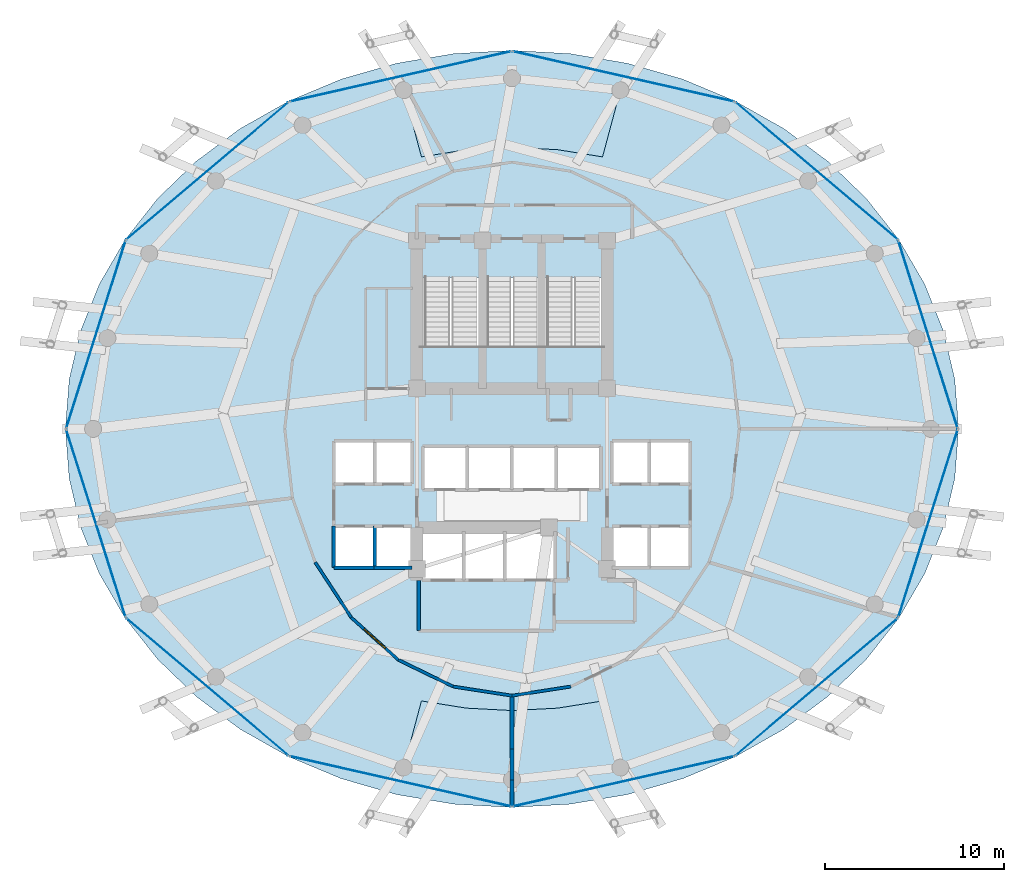
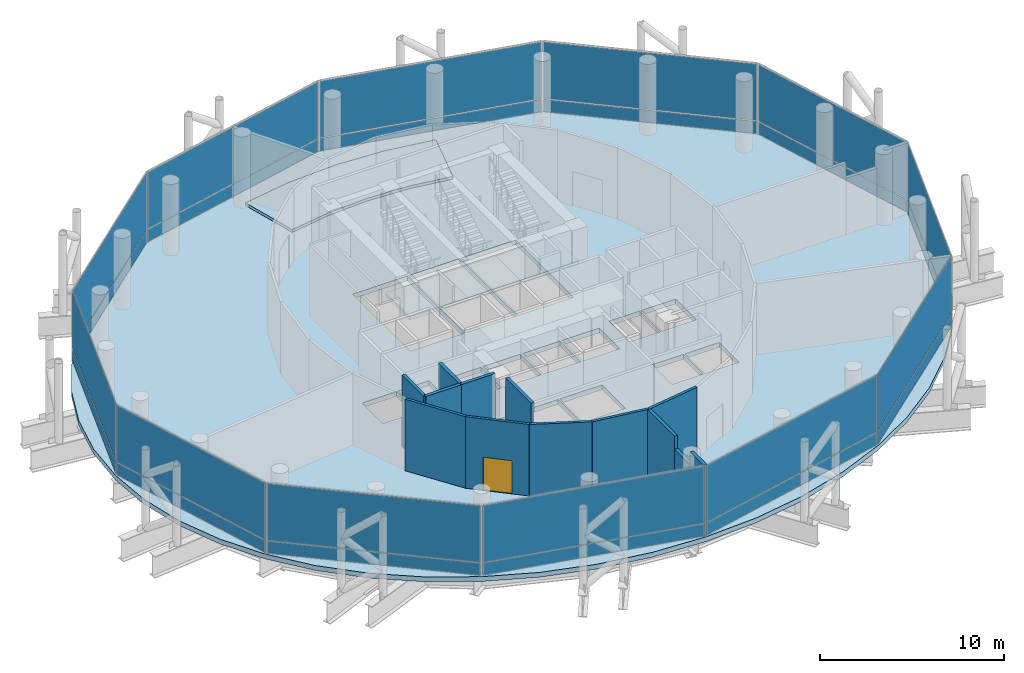
# One storey, part 21 of 29: 24 plates, 13 walls, 6 slabs, 1 door, 1 opening, 15 elements without a shape of their own.
"""IFC4 building model written with IfcOpenShell, lengths in metres."""

from ifc_helpers import new_model, si_unit, direction, frame, frame_2d, origin, origin_2d, place, context, subcontext, project, spatial, polyline, rectangle, outline, extrude, material, layer, layer_set, type_object, element, fill, aggregate, save


model = new_model("IFC4")

# Units and contexts
model_context = context("Model", 3, precision=1e-05, world=origin(), true_north=direction((0.0, 1.0)))
body_context = subcontext(model_context, "Body", "Model", "MODEL_VIEW")
ifc_project = project(units=[si_unit("LENGTHUNIT", "METRE"), si_unit("AREAUNIT", "SQUARE_METRE"), si_unit("VOLUMEUNIT", "CUBIC_METRE"), si_unit("PLANEANGLEUNIT", "RADIAN"), si_unit("MASSUNIT", "GRAM", prefix="KILO")], contexts=[model_context])

# Site, building, storey
site_placement = place(None, origin())
site = spatial("IfcSite", under=ifc_project, at=site_placement, CompositionType="ELEMENT")
building_placement = place(site_placement, origin())
building = spatial("IfcBuilding", under=site, at=building_placement, Name="Nuhasar Tower", CompositionType="ELEMENT")
storey_placement = place(building_placement, frame((0.0, 0.0, 113.25)))
storey = spatial("IfcBuildingStorey", under=building, at=storey_placement, Name="L26", CompositionType="ELEMENT", Elevation=113.25)

# Curtain wall, plate
ifc_material_1 = material(Name="Aluminium 6063-T6", Category="aluminium")
ifc_layer_1 = layer(ifc_material_1, 0.239990234375)
ifc_layer_set_1 = layer_set([ifc_layer_1], Name="Aluminium 6063-T6")
curtain_wall_type = type_object("IfcCurtainWallType", Name="CW-SKY-LBY", PredefinedType="NOTDEFINED", material=ifc_layer_set_1)
curtain_wall_1_placement = place(storey_placement, origin())
curtain_wall_1 = element("IfcCurtainWall", 1, at=curtain_wall_1_placement, inside=storey, type_object=curtain_wall_type, Name="L26 Unitised Curtain Wall 01", PredefinedType="NOTDEFINED")
ifc_material_2 = material(Name="Glass Double Low-E", Category="glass")
ifc_layer_2 = layer(ifc_material_2, 0.028076171875)
ifc_layer_set_2 = layer_set([ifc_layer_2], Name="Glass Double Low-E")
plate_type_1 = type_object("IfcPlateType", Name="CW-PANEL-GLZ", PredefinedType="CURTAIN_PANEL", material=ifc_layer_set_2)
plate_1_placement = place(storey_placement, frame((62.194580078125, 32.06494140625, 0.93017578125), z_axis=(0.0, 0.0, 1.0), x_axis=(-0.301603667577, 0.953433389233, 0.0)))
plate_1 = element("IfcPlate", 2, at=plate_1_placement, type_object=plate_type_1, Name="CW-SL panel 1.2", PredefinedType="CURTAIN_PANEL", context=body_context, shape_type="SweptSolid", body=[
    extrude(rectangle(XDim=10.92431640625, YDim=0.028076171875, at=origin_2d()), origin(), (0.0, 0.0, 1.0), 3.760009765625),
])

curtain_wall_2_placement = place(storey_placement, origin())
curtain_wall_2 = element("IfcCurtainWall", 3, at=curtain_wall_2_placement, inside=storey, type_object=curtain_wall_type, Name="L26 Unitised Curtain Wall 02", PredefinedType="NOTDEFINED")
plate_2_placement = place(storey_placement, frame((55.9794921875, 41.18408203125, 0.93017578125), z_axis=(0.0, 0.0, 1.0), x_axis=(-0.763020370292, 0.646374438324, 0.0)))
plate_2 = element("IfcPlate", 4, at=plate_2_placement, type_object=plate_type_1, Name="CW-SL panel 1.2", PredefinedType="CURTAIN_PANEL", context=body_context, shape_type="SweptSolid", body=[
    extrude(rectangle(XDim=11.804931640625, YDim=0.028076171875, at=origin_2d()), origin(), (0.0, 0.0, 1.0), 3.760009765625),
])

curtain_wall_3_placement = place(storey_placement, origin())
curtain_wall_3 = element("IfcCurtainWall", 5, at=curtain_wall_3_placement, inside=storey, type_object=curtain_wall_type, Name="L26 Unitised Curtain Wall 03", PredefinedType="NOTDEFINED")
plate_3_placement = place(storey_placement, frame((45.215087890625, 46.448974609375, 0.93017578125), z_axis=(0.0, 0.0, 1.0), x_axis=(-0.975183694221, 0.22139729566, 0.0)))
plate_3 = element("IfcPlate", 6, at=plate_3_placement, type_object=plate_type_1, Name="CW-SL panel 1.2", PredefinedType="CURTAIN_PANEL", context=body_context, shape_type="SweptSolid", body=[
    extrude(rectangle(XDim=12.626220703125, YDim=0.028076171875, at=origin_2d()), origin(), (0.0, 0.0, 1.0), 3.760009765625),
])

curtain_wall_4_placement = place(storey_placement, origin())
curtain_wall_4 = element("IfcCurtainWall", 7, at=curtain_wall_4_placement, inside=storey, type_object=curtain_wall_type, Name="L26 Unitised Curtain Wall 04", PredefinedType="NOTDEFINED")
plate_4_placement = place(storey_placement, frame((32.784912109375, 46.448974609375, 0.93017578125), z_axis=(0.0, 0.0, 1.0), x_axis=(-0.975183694221, -0.22139729566, 0.0)))
plate_4 = element("IfcPlate", 8, at=plate_4_placement, type_object=plate_type_1, Name="CW-SL panel 1.2", PredefinedType="CURTAIN_PANEL", context=body_context, shape_type="SweptSolid", body=[
    extrude(rectangle(XDim=12.626220703125, YDim=0.028076171875, at=origin_2d()), origin(), (0.0, 0.0, 1.0), 3.760009765625),
])

curtain_wall_5_placement = place(storey_placement, origin())
curtain_wall_5 = element("IfcCurtainWall", 9, at=curtain_wall_5_placement, inside=storey, type_object=curtain_wall_type, Name="L26 Unitised Curtain Wall 05", PredefinedType="NOTDEFINED")
plate_5_placement = place(storey_placement, frame((22.0205078125, 41.18408203125, 0.93017578125), z_axis=(0.0, 0.0, 1.0), x_axis=(-0.763020370292, -0.646374438324, 0.0)))
plate_5 = element("IfcPlate", 10, at=plate_5_placement, type_object=plate_type_1, Name="CW-SL panel 1.2", PredefinedType="CURTAIN_PANEL", context=body_context, shape_type="SweptSolid", body=[
    extrude(rectangle(XDim=11.804931640625, YDim=0.028076171875, at=origin_2d()), origin(), (0.0, 0.0, 1.0), 3.760009765625),
])

curtain_wall_6_placement = place(storey_placement, origin())
curtain_wall_6 = element("IfcCurtainWall", 11, at=curtain_wall_6_placement, inside=storey, type_object=curtain_wall_type, Name="L26 Unitised Curtain Wall 06", PredefinedType="NOTDEFINED")
plate_6_placement = place(storey_placement, frame((15.805419921875, 32.06494140625, 0.93017578125), z_axis=(0.0, 0.0, 1.0), x_axis=(-0.301603667577, -0.953433389233, 0.0)))
plate_6 = element("IfcPlate", 12, at=plate_6_placement, type_object=plate_type_1, Name="CW-SL panel 1.2", PredefinedType="CURTAIN_PANEL", context=body_context, shape_type="SweptSolid", body=[
    extrude(rectangle(XDim=10.92431640625, YDim=0.028076171875, at=origin_2d()), origin(), (0.0, 0.0, 1.0), 3.760009765625),
])

curtain_wall_7_placement = place(storey_placement, origin())
curtain_wall_7 = element("IfcCurtainWall", 13, at=curtain_wall_7_placement, inside=storey, type_object=curtain_wall_type, Name="L26 Unitised Curtain Wall 07", PredefinedType="NOTDEFINED")
plate_7_placement = place(storey_placement, frame((15.805419921875, 21.534912109375, 0.93017578125), z_axis=(0.0, 0.0, 1.0), x_axis=(0.301603667577, -0.953433389233, 0.0)))
plate_7 = element("IfcPlate", 14, at=plate_7_placement, type_object=plate_type_1, Name="CW-SL panel 1.2", PredefinedType="CURTAIN_PANEL", context=body_context, shape_type="SweptSolid", body=[
    extrude(rectangle(XDim=10.92431640625, YDim=0.028076171875, at=origin_2d()), origin(), (0.0, 0.0, 1.0), 3.760009765625),
])

curtain_wall_8_placement = place(storey_placement, origin())
curtain_wall_8 = element("IfcCurtainWall", 15, at=curtain_wall_8_placement, inside=storey, type_object=curtain_wall_type, Name="L26 Unitised Curtain Wall 08", PredefinedType="NOTDEFINED")
plate_8_placement = place(storey_placement, frame((22.0205078125, 12.416015625, 0.93017578125), z_axis=(0.0, 0.0, 1.0), x_axis=(0.763020370292, -0.646374438324, 0.0)))
plate_8 = element("IfcPlate", 16, at=plate_8_placement, type_object=plate_type_1, Name="CW-SL panel 1.2", PredefinedType="CURTAIN_PANEL", context=body_context, shape_type="SweptSolid", body=[
    extrude(rectangle(XDim=11.804931640625, YDim=0.028076171875, at=origin_2d()), origin(), (0.0, 0.0, 1.0), 3.760009765625),
])

curtain_wall_9_placement = place(storey_placement, origin())
curtain_wall_9 = element("IfcCurtainWall", 17, at=curtain_wall_9_placement, inside=storey, type_object=curtain_wall_type, Name="L26 Unitised Curtain Wall 09", PredefinedType="NOTDEFINED")
plate_9_placement = place(storey_placement, frame((32.784912109375, 7.15087890625, 0.93017578125), z_axis=(0.0, 0.0, 1.0), x_axis=(0.975183694221, -0.22139729566, 0.0)))
plate_9 = element("IfcPlate", 18, at=plate_9_placement, type_object=plate_type_1, Name="CW-SL panel 1.2", PredefinedType="CURTAIN_PANEL", context=body_context, shape_type="SweptSolid", body=[
    extrude(rectangle(XDim=12.626220703125, YDim=0.028076171875, at=origin_2d()), origin(), (0.0, 0.0, 1.0), 3.760009765625),
])

curtain_wall_10_placement = place(storey_placement, origin())
curtain_wall_10 = element("IfcCurtainWall", 19, at=curtain_wall_10_placement, inside=storey, type_object=curtain_wall_type, Name="L26 Unitised Curtain Wall 10", PredefinedType="NOTDEFINED")
plate_10_placement = place(storey_placement, frame((45.215087890625, 7.15087890625, 0.93017578125), z_axis=(0.0, 0.0, 1.0), x_axis=(0.975183694221, 0.22139729566, 0.0)))
plate_10 = element("IfcPlate", 20, at=plate_10_placement, type_object=plate_type_1, Name="CW-SL panel 1.2", PredefinedType="CURTAIN_PANEL", context=body_context, shape_type="SweptSolid", body=[
    extrude(rectangle(XDim=12.626220703125, YDim=0.028076171875, at=origin_2d()), origin(), (0.0, 0.0, 1.0), 3.760009765625),
])

curtain_wall_11_placement = place(storey_placement, origin())
curtain_wall_11 = element("IfcCurtainWall", 21, at=curtain_wall_11_placement, inside=storey, type_object=curtain_wall_type, Name="L26 Unitised Curtain Wall 11", PredefinedType="NOTDEFINED")
plate_11_placement = place(storey_placement, frame((55.9794921875, 12.416015625, 0.93017578125), z_axis=(0.0, 0.0, 1.0), x_axis=(0.763020370292, 0.646374438324, 0.0)))
plate_11 = element("IfcPlate", 22, at=plate_11_placement, type_object=plate_type_1, Name="CW-SL panel 1.2", PredefinedType="CURTAIN_PANEL", context=body_context, shape_type="SweptSolid", body=[
    extrude(rectangle(XDim=11.804931640625, YDim=0.028076171875, at=origin_2d()), origin(), (0.0, 0.0, 1.0), 3.760009765625),
])

curtain_wall_12_placement = place(storey_placement, origin())
curtain_wall_12 = element("IfcCurtainWall", 23, at=curtain_wall_12_placement, inside=storey, type_object=curtain_wall_type, Name="L26 Unitised Curtain Wall 12", PredefinedType="NOTDEFINED")
plate_12_placement = place(storey_placement, frame((62.194580078125, 21.534912109375, 0.93017578125), z_axis=(0.0, 0.0, 1.0), x_axis=(0.301603667577, 0.953433389233, 0.0)))
plate_12 = element("IfcPlate", 24, at=plate_12_placement, type_object=plate_type_1, Name="CW-SL panel 1.2", PredefinedType="CURTAIN_PANEL", context=body_context, shape_type="SweptSolid", body=[
    extrude(rectangle(XDim=10.92431640625, YDim=0.028076171875, at=origin_2d()), origin(), (0.0, 0.0, 1.0), 3.760009765625),
])

# Plate
ifc_material_3 = material(Name="Glass Spandrel", Category="glass")
ifc_layer_3 = layer(ifc_material_3, 0.035888671875)
ifc_layer_set_3 = layer_set([ifc_layer_3], Name="Glass Spandrel")
plate_type_2 = type_object("IfcPlateType", Name="CW-PANEL-SPN", PredefinedType="CURTAIN_PANEL", material=ifc_layer_set_3)
plate_13_placement = place(storey_placement, frame((62.194580078125, 32.06494140625, 0.06005859375), z_axis=(0.0, 0.0, 1.0), x_axis=(-0.301603667577, 0.953433389233, 0.0)))
plate_13 = element("IfcPlate", 25, at=plate_13_placement, type_object=plate_type_2, Name="CW-SL panel 1.1", PredefinedType="CURTAIN_PANEL", context=body_context, shape_type="SweptSolid", body=[
    extrude(rectangle(XDim=10.92431640625, YDim=0.035888671875, at=origin_2d()), origin(), (0.0, 0.0, 1.0), 0.81005859375),
])

aggregate(curtain_wall_1, [plate_13, plate_1])

plate_14_placement = place(storey_placement, frame((55.9794921875, 41.18408203125, 0.06005859375), z_axis=(0.0, 0.0, 1.0), x_axis=(-0.763020370292, 0.646374438324, 0.0)))
plate_14 = element("IfcPlate", 26, at=plate_14_placement, type_object=plate_type_2, Name="CW-SL panel 1.1", PredefinedType="CURTAIN_PANEL", context=body_context, shape_type="SweptSolid", body=[
    extrude(rectangle(XDim=11.804931640625, YDim=0.035888671875, at=origin_2d()), origin(), (0.0, 0.0, 1.0), 0.81005859375),
])

aggregate(curtain_wall_2, [plate_14, plate_2])

plate_15_placement = place(storey_placement, frame((45.215087890625, 46.448974609375, 0.06005859375), z_axis=(0.0, 0.0, 1.0), x_axis=(-0.975183694221, 0.22139729566, 0.0)))
plate_15 = element("IfcPlate", 27, at=plate_15_placement, type_object=plate_type_2, Name="CW-SL panel 1.1", PredefinedType="CURTAIN_PANEL", context=body_context, shape_type="SweptSolid", body=[
    extrude(rectangle(XDim=12.626220703125, YDim=0.035888671875, at=origin_2d()), origin(), (0.0, 0.0, 1.0), 0.81005859375),
])

aggregate(curtain_wall_3, [plate_15, plate_3])

plate_16_placement = place(storey_placement, frame((32.784912109375, 46.448974609375, 0.06005859375), z_axis=(0.0, 0.0, 1.0), x_axis=(-0.975183694221, -0.22139729566, 0.0)))
plate_16 = element("IfcPlate", 28, at=plate_16_placement, type_object=plate_type_2, Name="CW-SL panel 1.1", PredefinedType="CURTAIN_PANEL", context=body_context, shape_type="SweptSolid", body=[
    extrude(rectangle(XDim=12.626220703125, YDim=0.035888671875, at=origin_2d()), origin(), (0.0, 0.0, 1.0), 0.81005859375),
])

aggregate(curtain_wall_4, [plate_16, plate_4])

plate_17_placement = place(storey_placement, frame((22.0205078125, 41.18408203125, 0.06005859375), z_axis=(0.0, 0.0, 1.0), x_axis=(-0.763020370292, -0.646374438324, 0.0)))
plate_17 = element("IfcPlate", 29, at=plate_17_placement, type_object=plate_type_2, Name="CW-SL panel 1.1", PredefinedType="CURTAIN_PANEL", context=body_context, shape_type="SweptSolid", body=[
    extrude(rectangle(XDim=11.804931640625, YDim=0.035888671875, at=origin_2d()), origin(), (0.0, 0.0, 1.0), 0.81005859375),
])

aggregate(curtain_wall_5, [plate_17, plate_5])

plate_18_placement = place(storey_placement, frame((15.805419921875, 32.06494140625, 0.06005859375), z_axis=(0.0, 0.0, 1.0), x_axis=(-0.301603667577, -0.953433389233, 0.0)))
plate_18 = element("IfcPlate", 30, at=plate_18_placement, type_object=plate_type_2, Name="CW-SL panel 1.1", PredefinedType="CURTAIN_PANEL", context=body_context, shape_type="SweptSolid", body=[
    extrude(rectangle(XDim=10.92431640625, YDim=0.035888671875, at=origin_2d()), origin(), (0.0, 0.0, 1.0), 0.81005859375),
])

aggregate(curtain_wall_6, [plate_18, plate_6])

plate_19_placement = place(storey_placement, frame((15.805419921875, 21.534912109375, 0.06005859375), z_axis=(0.0, 0.0, 1.0), x_axis=(0.301603667577, -0.953433389233, 0.0)))
plate_19 = element("IfcPlate", 31, at=plate_19_placement, type_object=plate_type_2, Name="CW-SL panel 1.1", PredefinedType="CURTAIN_PANEL", context=body_context, shape_type="SweptSolid", body=[
    extrude(rectangle(XDim=10.92431640625, YDim=0.035888671875, at=origin_2d()), origin(), (0.0, 0.0, 1.0), 0.81005859375),
])

aggregate(curtain_wall_7, [plate_19, plate_7])

plate_20_placement = place(storey_placement, frame((22.0205078125, 12.416015625, 0.06005859375), z_axis=(0.0, 0.0, 1.0), x_axis=(0.763020370292, -0.646374438324, 0.0)))
plate_20 = element("IfcPlate", 32, at=plate_20_placement, type_object=plate_type_2, Name="CW-SL panel 1.1", PredefinedType="CURTAIN_PANEL", context=body_context, shape_type="SweptSolid", body=[
    extrude(rectangle(XDim=11.804931640625, YDim=0.035888671875, at=origin_2d()), origin(), (0.0, 0.0, 1.0), 0.81005859375),
])

aggregate(curtain_wall_8, [plate_20, plate_8])

plate_21_placement = place(storey_placement, frame((32.784912109375, 7.15087890625, 0.06005859375), z_axis=(0.0, 0.0, 1.0), x_axis=(0.975183694221, -0.22139729566, 0.0)))
plate_21 = element("IfcPlate", 33, at=plate_21_placement, type_object=plate_type_2, Name="CW-SL panel 1.1", PredefinedType="CURTAIN_PANEL", context=body_context, shape_type="SweptSolid", body=[
    extrude(rectangle(XDim=12.626220703125, YDim=0.035888671875, at=origin_2d()), origin(), (0.0, 0.0, 1.0), 0.81005859375),
])

aggregate(curtain_wall_9, [plate_21, plate_9])

plate_22_placement = place(storey_placement, frame((45.215087890625, 7.15087890625, 0.06005859375), z_axis=(0.0, 0.0, 1.0), x_axis=(0.975183694221, 0.22139729566, 0.0)))
plate_22 = element("IfcPlate", 34, at=plate_22_placement, type_object=plate_type_2, Name="CW-SL panel 1.1", PredefinedType="CURTAIN_PANEL", context=body_context, shape_type="SweptSolid", body=[
    extrude(rectangle(XDim=12.626220703125, YDim=0.035888671875, at=origin_2d()), origin(), (0.0, 0.0, 1.0), 0.81005859375),
])

aggregate(curtain_wall_10, [plate_22, plate_10])

plate_23_placement = place(storey_placement, frame((55.9794921875, 12.416015625, 0.06005859375), z_axis=(0.0, 0.0, 1.0), x_axis=(0.763020370292, 0.646374438324, 0.0)))
plate_23 = element("IfcPlate", 35, at=plate_23_placement, type_object=plate_type_2, Name="CW-SL panel 1.1", PredefinedType="CURTAIN_PANEL", context=body_context, shape_type="SweptSolid", body=[
    extrude(rectangle(XDim=11.804931640625, YDim=0.035888671875, at=origin_2d()), origin(), (0.0, 0.0, 1.0), 0.81005859375),
])

aggregate(curtain_wall_11, [plate_23, plate_11])

plate_24_placement = place(storey_placement, frame((62.194580078125, 21.534912109375, 0.06005859375), z_axis=(0.0, 0.0, 1.0), x_axis=(0.301603667577, 0.953433389233, 0.0)))
plate_24 = element("IfcPlate", 36, at=plate_24_placement, type_object=plate_type_2, Name="CW-SL panel 1.1", PredefinedType="CURTAIN_PANEL", context=body_context, shape_type="SweptSolid", body=[
    extrude(rectangle(XDim=10.92431640625, YDim=0.035888671875, at=origin_2d()), origin(), (0.0, 0.0, 1.0), 0.81005859375),
])

aggregate(curtain_wall_12, [plate_24, plate_12])

# Slabs
ifc_material_4 = material(Name="Concrete C50/60", Category="concrete")
ifc_layer_4 = layer(ifc_material_4, 0.199951171875)
ifc_layer_set_4 = layer_set([ifc_layer_4], Name="Concrete C50/60")
slab_type_1 = type_object("IfcSlabType", Name="SLB-PLN-200", PredefinedType="BASESLAB", material=ifc_layer_set_4)
slab_1_placement = place(storey_placement, origin())
element("IfcSlab", 37, at=slab_1_placement, inside=storey, type_object=slab_type_1, Name="L26 Viewing Feature Dais Slab North", PredefinedType="BASESLAB", context=body_context, shape_type="SweptSolid", body=[
    extrude(outline(polyline([(44.97900390625, 45.44189453125), (42.014892578125, 45.93505859375), (39.0, 46.10009765625), (35.985107421875, 45.93505859375), (33.02099609375, 45.44189453125), (33.952880859375, 41.965087890625), (36.455078125, 42.365966796875), (39.0, 42.5), (41.544921875, 42.365966796875), (44.047119140625, 41.965087890625), (44.97900390625, 45.44189453125)])), origin(), (0.0, 0.0, 1.0), 0.179931640625),
])
slab_2_placement = place(storey_placement, origin())
element("IfcSlab", 38, at=slab_2_placement, inside=storey, type_object=slab_type_1, Name="L26 Viewing Feature Dais Slab South", PredefinedType="BASESLAB", context=body_context, shape_type="SweptSolid", body=[
    extrude(outline(polyline([(33.02099609375, 8.157958984375), (35.985107421875, 7.6650390625), (39.0, 7.5), (42.014892578125, 7.6650390625), (44.97900390625, 8.157958984375), (44.047119140625, 11.635009765625), (41.544921875, 11.23388671875), (39.0, 11.10009765625), (36.455078125, 11.23388671875), (33.952880859375, 11.635009765625), (33.02099609375, 8.157958984375)])), origin(), (0.0, 0.0, 1.0), 0.179931640625),
])
ifc_layer_5 = layer(ifc_material_4, 0.320068359375)
ifc_layer_set_5 = layer_set([ifc_layer_5], Name="Concrete C50/60")
slab_type_2 = type_object("IfcSlabType", Name="SLB-POD-320", PredefinedType="FLOOR", material=ifc_layer_set_5)
slab_3_placement = place(storey_placement, frame((0.0, 0.0, -0.320068359375)))
element("IfcSlab", 39, at=slab_3_placement, inside=storey, type_object=slab_type_2, Name="L26 Structural Slab", PredefinedType="FLOOR", context=body_context, shape_type="SweptSolid", body=[
    extrude(outline(polyline([(63.89990234375, 26.800048828125), (63.68701171875, 29.553955078125), (63.052001953125, 32.260986328125), (62.0048828125, 34.875), (60.56396484375, 37.35009765625), (58.75390625, 39.64501953125), (56.60693359375, 41.719970703125), (54.157958984375, 43.5400390625), (51.449951171875, 45.072998046875), (48.529052734375, 46.2939453125), (45.445068359375, 47.180908203125), (42.25, 47.718994140625), (39.0, 47.89990234375), (35.75, 47.718994140625), (32.554931640625, 47.180908203125), (29.470947265625, 46.2939453125), (26.550048828125, 45.072998046875), (23.842041015625, 43.5400390625), (21.39306640625, 41.719970703125), (19.24609375, 39.64501953125), (17.43603515625, 37.35009765625), (15.9951171875, 34.875), (14.947998046875, 32.260986328125), (14.31298828125, 29.553955078125), (14.10009765625, 26.800048828125), (14.31298828125, 24.0458984375), (14.947998046875, 21.339111328125), (15.9951171875, 18.72509765625), (17.43603515625, 16.25), (19.24609375, 13.955078125), (21.39306640625, 11.8798828125), (23.842041015625, 10.06005859375), (26.550048828125, 8.527099609375), (29.470947265625, 7.305908203125), (32.554931640625, 6.4189453125), (35.75, 5.881103515625), (39.0, 5.699951171875), (42.25, 5.881103515625), (45.445068359375, 6.4189453125), (48.529052734375, 7.305908203125), (51.449951171875, 8.527099609375), (54.157958984375, 10.06005859375), (56.60693359375, 11.8798828125), (58.75390625, 13.955078125), (60.56396484375, 16.25), (62.0048828125, 18.72509765625), (63.052001953125, 21.339111328125), (63.68701171875, 24.0458984375), (63.89990234375, 26.800048828125)]), holes=[polyline([(33.8798828125, 35.25), (37.300048828125, 35.25), (37.300048828125, 29.0), (33.8798828125, 29.0), (33.8798828125, 35.25)]), polyline([(37.39990234375, 35.25), (40.60009765625, 35.25), (40.60009765625, 29.0), (37.39990234375, 29.0), (37.39990234375, 35.25)]), polyline([(40.699951171875, 35.25), (44.1201171875, 35.25), (44.1201171875, 29.0), (40.699951171875, 29.0), (40.699951171875, 35.25)]), polyline([(29.14990234375, 26.050048828125), (31.300048828125, 26.050048828125), (31.300048828125, 23.800048828125), (29.14990234375, 23.800048828125), (29.14990234375, 26.050048828125)]), polyline([(31.39990234375, 26.050048828125), (33.35009765625, 26.050048828125), (33.35009765625, 23.800048828125), (31.39990234375, 23.800048828125), (31.39990234375, 26.050048828125)]), polyline([(29.14990234375, 21.300048828125), (31.300048828125, 21.300048828125), (31.300048828125, 19.14990234375), (29.14990234375, 19.14990234375), (29.14990234375, 21.300048828125)]), polyline([(31.39990234375, 21.300048828125), (33.35009765625, 21.300048828125), (33.35009765625, 19.14990234375), (31.39990234375, 19.14990234375), (31.39990234375, 21.300048828125)]), polyline([(44.64990234375, 26.050048828125), (46.60009765625, 26.050048828125), (46.60009765625, 23.800048828125), (44.64990234375, 23.800048828125), (44.64990234375, 26.050048828125)]), polyline([(46.699951171875, 26.050048828125), (48.85009765625, 26.050048828125), (48.85009765625, 23.800048828125), (46.699951171875, 23.800048828125), (46.699951171875, 26.050048828125)]), polyline([(44.64990234375, 21.300048828125), (46.60009765625, 21.300048828125), (46.60009765625, 19.14990234375), (44.64990234375, 19.14990234375), (44.64990234375, 21.300048828125)]), polyline([(46.699951171875, 21.300048828125), (48.85009765625, 21.300048828125), (48.85009765625, 19.14990234375), (46.699951171875, 19.14990234375), (46.699951171875, 21.300048828125)]), polyline([(34.10009765625, 25.75), (36.43994140625, 25.75), (36.43994140625, 23.5), (34.10009765625, 23.5), (34.10009765625, 25.75)]), polyline([(36.580078125, 25.75), (38.919921875, 25.75), (38.919921875, 23.5), (36.580078125, 23.5), (36.580078125, 25.75)]), polyline([(39.06005859375, 25.75), (41.39990234375, 25.75), (41.39990234375, 23.5), (39.06005859375, 23.5), (39.06005859375, 25.75)]), polyline([(41.5400390625, 25.75), (43.8798828125, 25.75), (43.8798828125, 23.5), (41.5400390625, 23.5), (41.5400390625, 25.75)]), polyline([(34.050048828125, 21.0), (36.25, 21.0), (36.25, 18.449951171875), (34.050048828125, 18.449951171875), (34.050048828125, 21.0)]), polyline([(36.35009765625, 21.0), (38.550048828125, 21.0), (38.550048828125, 18.449951171875), (36.35009765625, 18.449951171875), (36.35009765625, 21.0)]), polyline([(38.64990234375, 21.0), (41.320068359375, 21.0), (41.320068359375, 18.449951171875), (38.64990234375, 18.449951171875), (38.64990234375, 21.0)])]), origin(), (0.0, 0.0, 1.0), 0.320068359375),
])

# Stair, slab
ifc_material_5 = material(Name="Concrete C45/55", Category="concrete")
stair_type_1 = type_object("IfcStairType", Name="STR-ST-01-2F-30R-1667", PredefinedType="HALF_TURN_STAIR", material=ifc_material_5)
stair_1_placement = place(storey_placement, origin())
stair_1 = element("IfcStair", 40, at=stair_1_placement, inside=storey, type_object=stair_type_1, Name="L26 Exit Stair ST-01", PredefinedType="HALF_TURN_STAIR")
ifc_layer_6 = layer(ifc_material_5, 0.239990234375)
ifc_layer_set_6 = layer_set([ifc_layer_6], Name="Concrete C45/55")
slab_type_3 = type_object("IfcSlabType", Name="SLB-STAIR-LND-240", PredefinedType="LANDING", material=ifc_layer_set_6)
slab_4_placement = place(storey_placement, frame((0.0, 0.0, 2.260009765625)))
slab_4 = element("IfcSlab", 41, at=slab_4_placement, type_object=slab_type_3, Name="ST-01 landing 1", PredefinedType="LANDING", context=body_context, shape_type="SweptSolid", body=[
    extrude(outline(polyline([(33.699951171875, 28.75), (37.35009765625, 28.75), (37.35009765625, 31.39990234375), (33.699951171875, 31.39990234375), (33.699951171875, 28.75)])), origin(), (0.0, 0.0, 1.0), 0.239990234375),
])
aggregate(stair_1, [slab_4])

stair_type_2 = type_object("IfcStairType", Name="STR-ST-03-2F-30R-1667", PredefinedType="HALF_TURN_STAIR", material=ifc_material_5)
stair_2_placement = place(storey_placement, origin())
stair_2 = element("IfcStair", 42, at=stair_2_placement, inside=storey, type_object=stair_type_2, Name="L26 Exit Stair ST-03", PredefinedType="HALF_TURN_STAIR")
slab_5_placement = place(storey_placement, frame((0.0, 0.0, 2.260009765625)))
slab_5 = element("IfcSlab", 43, at=slab_5_placement, type_object=slab_type_3, Name="ST-03 landing 1", PredefinedType="LANDING", context=body_context, shape_type="SweptSolid", body=[
    extrude(outline(polyline([(37.35009765625, 28.75), (40.64990234375, 28.75), (40.64990234375, 31.39990234375), (37.35009765625, 31.39990234375), (37.35009765625, 28.75)])), origin(), (0.0, 0.0, 1.0), 0.239990234375),
])
aggregate(stair_2, [slab_5])

stair_type_3 = type_object("IfcStairType", Name="STR-ST-02-2F-30R-1667", PredefinedType="HALF_TURN_STAIR", material=ifc_material_5)
stair_3_placement = place(storey_placement, origin())
stair_3 = element("IfcStair", 44, at=stair_3_placement, inside=storey, type_object=stair_type_3, Name="L26 Exit Stair ST-02", PredefinedType="HALF_TURN_STAIR")
slab_6_placement = place(storey_placement, frame((0.0, 0.0, 2.260009765625)))
slab_6 = element("IfcSlab", 45, at=slab_6_placement, type_object=slab_type_3, Name="ST-02 landing 1", PredefinedType="LANDING", context=body_context, shape_type="SweptSolid", body=[
    extrude(outline(polyline([(40.64990234375, 28.75), (44.300048828125, 28.75), (44.300048828125, 31.39990234375), (40.64990234375, 31.39990234375), (40.64990234375, 28.75)])), origin(), (0.0, 0.0, 1.0), 0.239990234375),
])
aggregate(stair_3, [slab_6])

# Wall
ifc_material_6 = material(Name="Gypsum Board", Category="gypsum")
ifc_layer_7 = layer(ifc_material_6, 0.159912109375)
ifc_layer_set_7 = layer_set([ifc_layer_7], Name="Gypsum Board")
wall_type_1 = type_object("IfcWallType", Name="WL-CORR-160", PredefinedType="PARTITIONING", material=ifc_layer_set_7)
wall_1_placement = place(storey_placement, frame((28.027099609375, 19.364990234375, 0.0), z_axis=(0.0, 0.0, 1.0), x_axis=(0.547252937869, -0.836967276537, 0.0)))
element("IfcWall", 46, at=wall_1_placement, inside=storey, type_object=wall_type_1, Name="L26 Interior Partition CORR-28", PredefinedType="PARTITIONING", context=body_context, shape_type="SweptSolid", body=[
    extrude(rectangle(XDim=3.679931640625, YDim=0.159912109375, at=frame_2d((1.83984375, 0.0))), origin(), (0.0, 0.0, 1.0), 4.75),
])

# Wall, opening, door
wall_2_placement = place(storey_placement, frame((32.6650390625, 13.922119140625, 0.0), z_axis=(0.0, 0.0, 1.0), x_axis=(-0.743129101656, 0.66914806902, 0.0)))
wall_2 = element("IfcWall", 47, at=wall_2_placement, inside=storey, type_object=wall_type_1, Name="L26 Interior Partition CORR-30", PredefinedType="PARTITIONING", context=body_context, shape_type="SweptSolid", body=[
    extrude(rectangle(XDim=3.531005859375, YDim=0.159912109375, at=frame_2d((1.765625, 0.0))), origin(), (0.0, 0.0, 1.0), 4.75),
])
opening_placement = place(wall_2_placement, frame((0.966064453125, 0.0, 0.0)))
opening = element("IfcOpeningElement", 48, at=opening_placement, cuts=wall_2, Name="Opening DC-01", PredefinedType="OPENING", context=body_context, shape_type="SweptSolid", body=[
    extrude(rectangle(XDim=1.60009765625, YDim=2.199951171875, at=frame_2d((0.800048828125, 1.10009765625))), frame((0.0, 0.08984375, 0.0), z_axis=(0.0, -1.0, 0.0), x_axis=(1.0, 0.0, 0.0)), (0.0, 0.0, 1.0), 0.179931640625),
])
ifc_material_7 = material(Name="Steel S355", Category="steel")
door_type = type_object("IfcDoorType", Name="DR-CORR-FD60-1600", OperationType="DOUBLE_DOOR_SINGLE_SWING", PredefinedType="DOOR", material=ifc_material_7)
door_placement = place(opening_placement, origin())
door = element("IfcDoor", 49, at=door_placement, inside=storey, type_object=door_type, Name="L26 West Culinary Kitchen Door", OperationType="DOUBLE_DOOR_SINGLE_SWING", OverallHeight=2.199951171875, OverallWidth=1.60009765625, PredefinedType="DOOR", context=body_context, shape_type="SweptSolid", body=[
    extrude(rectangle(XDim=1.60009765625, YDim=2.199951171875, at=frame_2d((0.800048828125, 1.10009765625))), frame((0.0, 0.02490234375, 0.0), z_axis=(0.0, -1.0, 0.0), x_axis=(1.0, 0.0, 0.0)), (0.0, 0.0, 1.0), 0.050048828125),
])
fill(opening, door)

# Walls
wall_3_placement = place(storey_placement, frame((32.6650390625, 13.922119140625, 0.0), z_axis=(0.0, 0.0, 1.0), x_axis=(0.899414545514, -0.437096642995, 0.0)))
element("IfcWall", 50, at=wall_3_placement, inside=storey, type_object=wall_type_1, Name="L26 Interior Partition CORR-32", PredefinedType="PARTITIONING", context=body_context, shape_type="SweptSolid", body=[
    extrude(rectangle(XDim=3.397705078125, YDim=0.159912109375, at=frame_2d((1.69873046875, 0.0))), origin(), (0.0, 0.0, 1.0), 4.75),
])
for number, where, z_axis, x_axis, name in (
    (51, (35.720947265625, 12.43701171875, 0.0), (0.0, 0.0, 1.0), (0.988253160439, -0.152825687903, 0.0), "L26 Interior Partition CORR-34"),
    (52, (39.0, 11.929931640625, 0.0), (0.0, 0.0, 1.0), (0.988253160439, 0.152825687903, 0.0), "L26 Interior Partition CORR-36"),
):
    element("IfcWall", number, at=place(storey_placement, frame(where, z_axis=z_axis, x_axis=x_axis)), inside=storey, type_object=wall_type_1, Name=name, PredefinedType="PARTITIONING", context=body_context, shape_type="SweptSolid", body=[
        extrude(rectangle(XDim=3.318115234375, YDim=0.159912109375, at=frame_2d((1.6591796875, 0.0))), origin(), (0.0, 0.0, 1.0), 4.75),
    ])
ifc_layer_8 = layer(ifc_material_5, 0.199951171875)
ifc_layer_set_8 = layer_set([ifc_layer_8], Name="Concrete C45/55")
wall_type_2 = type_object("IfcWallType", Name="WL-LOBBY-200", PredefinedType="SOLIDWALL", material=ifc_layer_set_8)
wall_4_placement = place(storey_placement, frame((33.800048828125, 15.550048828125, 0.0), z_axis=(0.0, 0.0, 1.0), x_axis=(0.0, 1.0, 0.0)))
element("IfcWall", 53, at=wall_4_placement, inside=storey, type_object=wall_type_2, Name="L26 Interior Partition FFL-W", PredefinedType="SOLIDWALL", context=body_context, shape_type="SweptSolid", body=[
    extrude(rectangle(XDim=2.800048828125, YDim=0.199951171875, at=frame_2d((1.39990234375, 0.0))), origin(), (0.0, 0.0, 1.0), 4.75),
])
ifc_layer_9 = layer(ifc_material_5, 0.199951171875)
ifc_layer_set_9 = layer_set([ifc_layer_9], Name="Concrete C45/55")
wall_type_3 = type_object("IfcWallType", Name="WL-SHAFT-200", PredefinedType="SOLIDWALL", material=ifc_layer_set_9)
for number, where, z_axis, x_axis, name in (
    (54, (29.070068359375, 19.070068359375, 0.0), (0.0, 0.0, 1.0), (1.0, 0.0, 0.0), "L26 Interior Partition SHF-PL-L03-S"),
    (55, (29.070068359375, 19.070068359375, 0.0), (0.0, 0.0, 1.0), (0.0, 1.0, 0.0), "L26 Interior Partition SHF-PL-L03-W"),
    (56, (31.35009765625, 19.070068359375, 0.0), (0.0, 0.0, 1.0), (0.0, 1.0, 0.0), "L26 Interior Partition SHF-PL-L03-E"),
):
    element("IfcWall", number, at=place(storey_placement, frame(where, z_axis=z_axis, x_axis=x_axis)), inside=storey, type_object=wall_type_3, Name=name, PredefinedType="SOLIDWALL", context=body_context, shape_type="SweptSolid", body=[
        extrude(rectangle(XDim=2.309814453125, YDim=0.199951171875, at=frame_2d((1.15478515625, 0.0))), origin(), (0.0, 0.0, 1.0), 4.75),
    ])
wall_5_placement = place(storey_placement, frame((31.320068359375, 19.070068359375, 0.0), z_axis=(0.0, 0.0, 1.0), x_axis=(1.0, 0.0, 0.0)))
element("IfcWall", 57, at=wall_5_placement, inside=storey, type_object=wall_type_3, Name="L26 Interior Partition SHF-PL-L04-S", PredefinedType="SOLIDWALL", context=body_context, shape_type="SweptSolid", body=[
    extrude(rectangle(XDim=2.10986328125, YDim=0.199951171875, at=frame_2d((1.054931640625, 0.0))), origin(), (0.0, 0.0, 1.0), 4.75),
])
ifc_material_8 = material(Name="Concrete C40/50 precast", Category="concrete")
ifc_layer_10 = layer(ifc_material_8, 0.199951171875)
ifc_layer_set_10 = layer_set([ifc_layer_10], Name="Concrete C40/50 precast")
wall_type_4 = type_object("IfcWallType", Name="WL-UNIT-200", PredefinedType="PARTITIONING", material=ifc_layer_set_10)
wall_6_placement = place(storey_placement, frame((39.0, 11.929931640625, 0.0), z_axis=(0.0, 0.0, 1.0), x_axis=(0.0, -1.0, 0.0)))
element("IfcWall", 58, at=wall_6_placement, inside=storey, type_object=wall_type_4, Name="L26 Interior Partition SRAD-36", PredefinedType="PARTITIONING", context=body_context, shape_type="SweptSolid", body=[
    extrude(rectangle(XDim=2.98291015625, YDim=0.199951171875, at=frame_2d((1.491455078125, 0.0))), origin(), (0.0, 0.0, 1.0), 4.75),
])
wall_7_placement = place(storey_placement, frame((39.0, 8.947021484375, 0.0), z_axis=(0.0, 0.0, 1.0), x_axis=(0.0, -1.0, 0.0)))
element("IfcWall", 59, at=wall_7_placement, inside=storey, type_object=wall_type_4, Name="L26 Interior Partition SRAD-36", PredefinedType="PARTITIONING", context=body_context, shape_type="SweptSolid", body=[
    extrude(rectangle(XDim=1.7119140625, YDim=0.199951171875, at=frame_2d((0.85595703125, 0.0))), origin(), (0.0, 0.0, 1.0), 3.889892578125),
])
wall_8_placement = place(storey_placement, frame((39.0, 7.235107421875, 0.0), z_axis=(0.0, 0.0, 1.0), x_axis=(0.0, -1.0, 0.0)))
element("IfcWall", 60, at=wall_8_placement, inside=storey, type_object=wall_type_4, Name="L26 Interior Partition SRAD-36", PredefinedType="PARTITIONING", context=body_context, shape_type="SweptSolid", body=[
    extrude(rectangle(XDim=1.460205078125, YDim=0.199951171875, at=frame_2d((0.72998046875, 0.0))), origin(), (0.0, 0.0, 1.0), 4.75),
])

save(model, "model.ifc")
